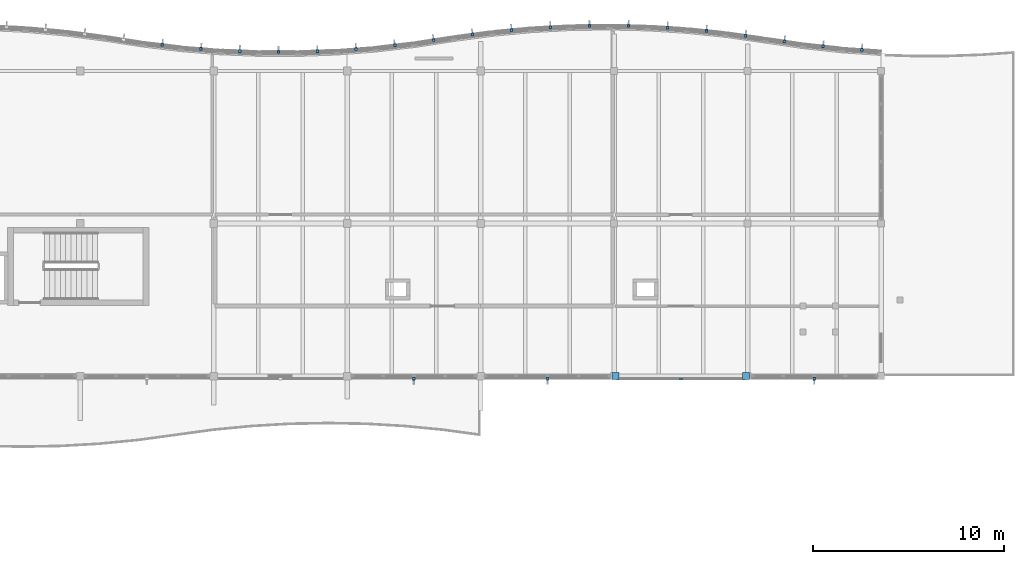
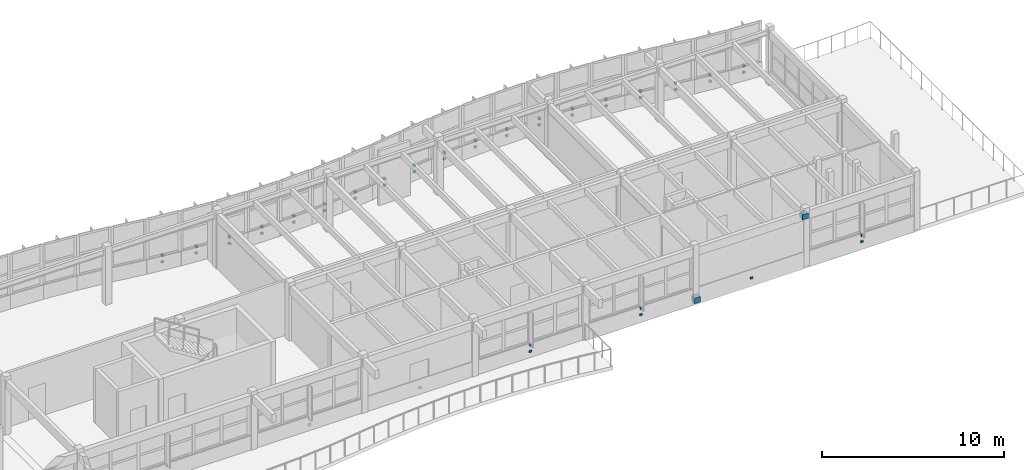
# One storey, part 52 of 63: 47 discrete accessories.
"""IFC4 building model written with IfcOpenShell, lengths in metres."""

from ifc_helpers import new_model, si_unit, direction, frame, origin, origin_2d, place, context, subcontext, project, spatial, rectangle, extrude, material, type_object, element, save


model = new_model("IFC4")

# Units and contexts
model_context = context("Model", 3, precision=1e-05, world=origin(), true_north=direction((0.0, 1.0)))
body_context = subcontext(model_context, "Body", "Model", "MODEL_VIEW")
ifc_project = project(units=[si_unit("LENGTHUNIT", "METRE"), si_unit("AREAUNIT", "SQUARE_METRE"), si_unit("VOLUMEUNIT", "CUBIC_METRE"), si_unit("PLANEANGLEUNIT", "RADIAN"), si_unit("MASSUNIT", "GRAM", prefix="KILO")], contexts=[model_context])

# Site, building, storey
site_placement = place(None, origin())
site = spatial("IfcSite", under=ifc_project, at=site_placement, CompositionType="ELEMENT")
building_placement = place(site_placement, origin())
building = spatial("IfcBuilding", under=site, at=building_placement, Name="Tonlespit Floodbar School", CompositionType="ELEMENT")
storey_placement = place(building_placement, frame((0.0, 0.0, 8.39990234375)))
storey = spatial("IfcBuildingStorey", under=building, at=storey_placement, Name="L02", CompositionType="ELEMENT", Elevation=8.39990234375)

# Discrete accessories
ifc_material_1 = material(Name="Galvanised Steel", Category="steel")
discrete_accessory_type_1 = type_object("IfcDiscreteAccessoryType", Name="Bracket_Facade_S355", PredefinedType="BRACKET", material=ifc_material_1)
discrete_accessory_1_placement = place(storey_placement, frame((131.303955078125, 121.3623046875, 0.35498046875), z_axis=(0.0, 0.0, 1.0), x_axis=(0.992837635444, -0.119471459546, 0.0)))
element("IfcDiscreteAccessory", 1, at=discrete_accessory_1_placement, inside=storey, type_object=discrete_accessory_type_1, Name="L02 white band support bracket 0671", PredefinedType="BRACKET", context=body_context, shape_type="SweptSolid", body=[
    extrude(rectangle(XDim=0.159912109375, YDim=0.1201171875, at=origin_2d()), origin(), (0.0, 0.0, 1.0), 0.1201171875),
])
discrete_accessory_2_placement = place(storey_placement, frame((131.30517578125, 121.3720703125, 0.7802734375), z_axis=(0.0, 0.0, 1.0), x_axis=(0.992837635444, -0.119471459546, 0.0)))
element("IfcDiscreteAccessory", 2, at=discrete_accessory_2_placement, inside=storey, type_object=discrete_accessory_type_1, Name="Solar fin support bracket 274", PredefinedType="BRACKET", context=body_context, shape_type="SweptSolid", body=[
    extrude(rectangle(XDim=0.1201171875, YDim=0.179931640625, at=origin_2d()), origin(), (0.0, 0.0, 1.0), 0.139892578125),
])
discrete_accessory_3_placement = place(storey_placement, frame((133.33740234375, 121.157958984375, 0.35498046875), z_axis=(0.0, 0.0, 1.0), x_axis=(0.996771595728, -0.08028938878, 0.0)))
element("IfcDiscreteAccessory", 3, at=discrete_accessory_3_placement, inside=storey, type_object=discrete_accessory_type_1, Name="L02 white band support bracket 0672", PredefinedType="BRACKET", context=body_context, shape_type="SweptSolid", body=[
    extrude(rectangle(XDim=0.159912109375, YDim=0.1201171875, at=origin_2d()), origin(), (0.0, 0.0, 1.0), 0.1201171875),
])
discrete_accessory_4_placement = place(storey_placement, frame((133.338134765625, 121.16796875, 0.7802734375), z_axis=(0.0, 0.0, 1.0), x_axis=(0.996771595728, -0.08028938878, 0.0)))
element("IfcDiscreteAccessory", 4, at=discrete_accessory_4_placement, inside=storey, type_object=discrete_accessory_type_1, Name="Solar fin support bracket 275", PredefinedType="BRACKET", context=body_context, shape_type="SweptSolid", body=[
    extrude(rectangle(XDim=0.1201171875, YDim=0.179931640625, at=origin_2d()), origin(), (0.0, 0.0, 1.0), 0.139892578125),
])
discrete_accessory_5_placement = place(storey_placement, frame((135.37060546875, 121.0341796875, 0.35498046875), z_axis=(0.0, 0.0, 1.0), x_axis=(0.999156056334, -0.041075236957, 0.0)))
element("IfcDiscreteAccessory", 5, at=discrete_accessory_5_placement, inside=storey, type_object=discrete_accessory_type_1, Name="L02 white band support bracket 0673", PredefinedType="BRACKET", context=body_context, shape_type="SweptSolid", body=[
    extrude(rectangle(XDim=0.159912109375, YDim=0.1201171875, at=origin_2d()), origin(), (0.0, 0.0, 1.0), 0.1201171875),
])
discrete_accessory_6_placement = place(storey_placement, frame((135.37109375, 121.044189453125, 0.7802734375), z_axis=(0.0, 0.0, 1.0), x_axis=(0.999156056334, -0.041075236957, 0.0)))
element("IfcDiscreteAccessory", 6, at=discrete_accessory_6_placement, inside=storey, type_object=discrete_accessory_type_1, Name="Solar fin support bracket 276", PredefinedType="BRACKET", context=body_context, shape_type="SweptSolid", body=[
    extrude(rectangle(XDim=0.1201171875, YDim=0.179931640625, at=origin_2d()), origin(), (0.0, 0.0, 1.0), 0.139892578125),
])
discrete_accessory_7_placement = place(storey_placement, frame((137.404052734375, 120.990478515625, 0.35498046875), z_axis=(0.0, 0.0, 1.0), x_axis=(0.999998352629, -0.001815141425, 0.0)))
element("IfcDiscreteAccessory", 7, at=discrete_accessory_7_placement, inside=storey, type_object=discrete_accessory_type_1, Name="L02 white band support bracket 0674", PredefinedType="BRACKET", context=body_context, shape_type="SweptSolid", body=[
    extrude(rectangle(XDim=0.159912109375, YDim=0.1201171875, at=origin_2d()), origin(), (0.0, 0.0, 1.0), 0.1201171875),
])
discrete_accessory_8_placement = place(storey_placement, frame((137.404052734375, 121.00048828125, 0.7802734375), z_axis=(0.0, 0.0, 1.0), x_axis=(0.999998352629, -0.001815141425, 0.0)))
element("IfcDiscreteAccessory", 8, at=discrete_accessory_8_placement, inside=storey, type_object=discrete_accessory_type_1, Name="Solar fin support bracket 277", PredefinedType="BRACKET", context=body_context, shape_type="SweptSolid", body=[
    extrude(rectangle(XDim=0.1201171875, YDim=0.179931640625, at=origin_2d()), origin(), (0.0, 0.0, 1.0), 0.139892578125),
])
discrete_accessory_9_placement = place(storey_placement, frame((139.4375, 121.02685546875, 0.35498046875), z_axis=(0.0, 0.0, 1.0), x_axis=(0.999302046635, 0.037355315444, 0.0)))
element("IfcDiscreteAccessory", 9, at=discrete_accessory_9_placement, inside=storey, type_object=discrete_accessory_type_1, Name="L02 white band support bracket 0675", PredefinedType="BRACKET", context=body_context, shape_type="SweptSolid", body=[
    extrude(rectangle(XDim=0.159912109375, YDim=0.1201171875, at=origin_2d()), origin(), (0.0, 0.0, 1.0), 0.1201171875),
])
discrete_accessory_10_placement = place(storey_placement, frame((139.43701171875, 121.036865234375, 0.7802734375), z_axis=(0.0, 0.0, 1.0), x_axis=(0.999302046635, 0.037355315444, 0.0)))
element("IfcDiscreteAccessory", 10, at=discrete_accessory_10_placement, inside=storey, type_object=discrete_accessory_type_1, Name="Solar fin support bracket 278", PredefinedType="BRACKET", context=body_context, shape_type="SweptSolid", body=[
    extrude(rectangle(XDim=0.1201171875, YDim=0.179931640625, at=origin_2d()), origin(), (0.0, 0.0, 1.0), 0.139892578125),
])
discrete_accessory_11_placement = place(storey_placement, frame((141.470703125, 121.142822265625, 0.35498046875), z_axis=(0.0, 0.0, 1.0), x_axis=(0.99706599344, 0.076546748634, 0.0)))
element("IfcDiscreteAccessory", 11, at=discrete_accessory_11_placement, inside=storey, type_object=discrete_accessory_type_1, Name="L02 white band support bracket 0676", PredefinedType="BRACKET", context=body_context, shape_type="SweptSolid", body=[
    extrude(rectangle(XDim=0.159912109375, YDim=0.1201171875, at=origin_2d()), origin(), (0.0, 0.0, 1.0), 0.1201171875),
])
discrete_accessory_12_placement = place(storey_placement, frame((141.469970703125, 121.15283203125, 0.7802734375), z_axis=(0.0, 0.0, 1.0), x_axis=(0.99706599344, 0.076546748634, 0.0)))
element("IfcDiscreteAccessory", 12, at=discrete_accessory_12_placement, inside=storey, type_object=discrete_accessory_type_1, Name="Solar fin support bracket 279", PredefinedType="BRACKET", context=body_context, shape_type="SweptSolid", body=[
    extrude(rectangle(XDim=0.1201171875, YDim=0.179931640625, at=origin_2d()), origin(), (0.0, 0.0, 1.0), 0.139892578125),
])
discrete_accessory_13_placement = place(storey_placement, frame((143.504150390625, 121.33935546875, 0.35498046875), z_axis=(0.0, 0.0, 1.0), x_axis=(0.993275723379, 0.115772783271, 0.0)))
element("IfcDiscreteAccessory", 13, at=discrete_accessory_13_placement, inside=storey, type_object=discrete_accessory_type_1, Name="L02 white band support bracket 0677", PredefinedType="BRACKET", context=body_context, shape_type="SweptSolid", body=[
    extrude(rectangle(XDim=0.159912109375, YDim=0.1201171875, at=origin_2d()), origin(), (0.0, 0.0, 1.0), 0.1201171875),
])
discrete_accessory_14_placement = place(storey_placement, frame((143.5029296875, 121.349365234375, 0.7802734375), z_axis=(0.0, 0.0, 1.0), x_axis=(0.993275723379, 0.115772783271, 0.0)))
element("IfcDiscreteAccessory", 14, at=discrete_accessory_14_placement, inside=storey, type_object=discrete_accessory_type_1, Name="Solar fin support bracket 280", PredefinedType="BRACKET", context=body_context, shape_type="SweptSolid", body=[
    extrude(rectangle(XDim=0.1201171875, YDim=0.179931640625, at=origin_2d()), origin(), (0.0, 0.0, 1.0), 0.139892578125),
])
discrete_accessory_15_placement = place(storey_placement, frame((145.5380859375, 121.6142578125, 0.35498046875), z_axis=(0.0, 0.0, 1.0), x_axis=(0.988400772292, 0.151868078712, 0.0)))
element("IfcDiscreteAccessory", 15, at=discrete_accessory_15_placement, inside=storey, type_object=discrete_accessory_type_1, Name="L02 white band support bracket 0678", PredefinedType="BRACKET", context=body_context, shape_type="SweptSolid", body=[
    extrude(rectangle(XDim=0.159912109375, YDim=0.1201171875, at=origin_2d()), origin(), (0.0, 0.0, 1.0), 0.1201171875),
])
discrete_accessory_16_placement = place(storey_placement, frame((145.536376953125, 121.6240234375, 0.7802734375), z_axis=(0.0, 0.0, 1.0), x_axis=(0.988400772292, 0.151868078712, 0.0)))
element("IfcDiscreteAccessory", 16, at=discrete_accessory_16_placement, inside=storey, type_object=discrete_accessory_type_1, Name="Solar fin support bracket 281", PredefinedType="BRACKET", context=body_context, shape_type="SweptSolid", body=[
    extrude(rectangle(XDim=0.1201171875, YDim=0.179931640625, at=origin_2d()), origin(), (0.0, 0.0, 1.0), 0.139892578125),
])
discrete_accessory_17_placement = place(storey_placement, frame((147.578857421875, 121.90771484375, 0.35498046875), z_axis=(0.0, 0.0, 1.0), x_axis=(0.991144996376, 0.132784020724, 0.0)))
element("IfcDiscreteAccessory", 17, at=discrete_accessory_17_placement, inside=storey, type_object=discrete_accessory_type_1, Name="L02 white band support bracket 0679", PredefinedType="BRACKET", context=body_context, shape_type="SweptSolid", body=[
    extrude(rectangle(XDim=0.159912109375, YDim=0.1201171875, at=origin_2d()), origin(), (0.0, 0.0, 1.0), 0.1201171875),
])
discrete_accessory_18_placement = place(storey_placement, frame((147.57763671875, 121.91748046875, 0.7802734375), z_axis=(0.0, 0.0, 1.0), x_axis=(0.991144996376, 0.132784020724, 0.0)))
element("IfcDiscreteAccessory", 18, at=discrete_accessory_18_placement, inside=storey, type_object=discrete_accessory_type_1, Name="Solar fin support bracket 282", PredefinedType="BRACKET", context=body_context, shape_type="SweptSolid", body=[
    extrude(rectangle(XDim=0.1201171875, YDim=0.179931640625, at=origin_2d()), origin(), (0.0, 0.0, 1.0), 0.139892578125),
])
discrete_accessory_19_placement = place(storey_placement, frame((149.622314453125, 122.140625, 0.35498046875), z_axis=(0.0, 0.0, 1.0), x_axis=(0.995611429803, 0.093583550078, 0.0)))
element("IfcDiscreteAccessory", 19, at=discrete_accessory_19_placement, inside=storey, type_object=discrete_accessory_type_1, Name="L02 white band support bracket 0680", PredefinedType="BRACKET", context=body_context, shape_type="SweptSolid", body=[
    extrude(rectangle(XDim=0.159912109375, YDim=0.1201171875, at=origin_2d()), origin(), (0.0, 0.0, 1.0), 0.1201171875),
])
discrete_accessory_20_placement = place(storey_placement, frame((149.62158203125, 122.150634765625, 0.7802734375), z_axis=(0.0, 0.0, 1.0), x_axis=(0.995611429803, 0.093583550078, 0.0)))
element("IfcDiscreteAccessory", 20, at=discrete_accessory_20_placement, inside=storey, type_object=discrete_accessory_type_1, Name="Solar fin support bracket 283", PredefinedType="BRACKET", context=body_context, shape_type="SweptSolid", body=[
    extrude(rectangle(XDim=0.1201171875, YDim=0.179931640625, at=origin_2d()), origin(), (0.0, 0.0, 1.0), 0.139892578125),
])
discrete_accessory_21_placement = place(storey_placement, frame((151.666015625, 122.292236328125, 0.35498046875), z_axis=(0.0, 0.0, 1.0), x_axis=(0.998520770666, 0.0543715969, 0.0)))
element("IfcDiscreteAccessory", 21, at=discrete_accessory_21_placement, inside=storey, type_object=discrete_accessory_type_1, Name="L02 white band support bracket 0681", PredefinedType="BRACKET", context=body_context, shape_type="SweptSolid", body=[
    extrude(rectangle(XDim=0.159912109375, YDim=0.1201171875, at=origin_2d()), origin(), (0.0, 0.0, 1.0), 0.1201171875),
])
discrete_accessory_22_placement = place(storey_placement, frame((151.665283203125, 122.30224609375, 0.7802734375), z_axis=(0.0, 0.0, 1.0), x_axis=(0.998520770666, 0.0543715969, 0.0)))
element("IfcDiscreteAccessory", 22, at=discrete_accessory_22_placement, inside=storey, type_object=discrete_accessory_type_1, Name="Solar fin support bracket 284", PredefinedType="BRACKET", context=body_context, shape_type="SweptSolid", body=[
    extrude(rectangle(XDim=0.1201171875, YDim=0.179931640625, at=origin_2d()), origin(), (0.0, 0.0, 1.0), 0.139892578125),
])
discrete_accessory_23_placement = place(storey_placement, frame((153.709716796875, 122.36328125, 0.35498046875), z_axis=(0.0, 0.0, 1.0), x_axis=(0.999885143374, 0.015155858947, 0.0)))
element("IfcDiscreteAccessory", 23, at=discrete_accessory_23_placement, inside=storey, type_object=discrete_accessory_type_1, Name="L02 white band support bracket 0682", PredefinedType="BRACKET", context=body_context, shape_type="SweptSolid", body=[
    extrude(rectangle(XDim=0.159912109375, YDim=0.1201171875, at=origin_2d()), origin(), (0.0, 0.0, 1.0), 0.1201171875),
])
discrete_accessory_24_placement = place(storey_placement, frame((153.70947265625, 122.373291015625, 0.7802734375), z_axis=(0.0, 0.0, 1.0), x_axis=(0.999885143374, 0.015155858947, 0.0)))
element("IfcDiscreteAccessory", 24, at=discrete_accessory_24_placement, inside=storey, type_object=discrete_accessory_type_1, Name="Solar fin support bracket 285", PredefinedType="BRACKET", context=body_context, shape_type="SweptSolid", body=[
    extrude(rectangle(XDim=0.1201171875, YDim=0.179931640625, at=origin_2d()), origin(), (0.0, 0.0, 1.0), 0.139892578125),
])
discrete_accessory_25_placement = place(storey_placement, frame((155.753173828125, 122.3544921875, 0.35498046875), z_axis=(0.0, 0.0, 1.0), x_axis=(0.999711216939, -0.024030870297, 0.0)))
element("IfcDiscreteAccessory", 25, at=discrete_accessory_25_placement, inside=storey, type_object=discrete_accessory_type_1, Name="L02 white band support bracket 0683", PredefinedType="BRACKET", context=body_context, shape_type="SweptSolid", body=[
    extrude(rectangle(XDim=0.159912109375, YDim=0.1201171875, at=origin_2d()), origin(), (0.0, 0.0, 1.0), 0.1201171875),
])
discrete_accessory_26_placement = place(storey_placement, frame((155.75341796875, 122.364501953125, 0.7802734375), z_axis=(0.0, 0.0, 1.0), x_axis=(0.999711216939, -0.024030870297, 0.0)))
element("IfcDiscreteAccessory", 26, at=discrete_accessory_26_placement, inside=storey, type_object=discrete_accessory_type_1, Name="Solar fin support bracket 286", PredefinedType="BRACKET", context=body_context, shape_type="SweptSolid", body=[
    extrude(rectangle(XDim=0.1201171875, YDim=0.179931640625, at=origin_2d()), origin(), (0.0, 0.0, 1.0), 0.139892578125),
])
discrete_accessory_27_placement = place(storey_placement, frame((157.796630859375, 122.264892578125, 0.35498046875), z_axis=(0.0, 0.0, 1.0), x_axis=(0.9979974699, -0.063253854221, 0.0)))
element("IfcDiscreteAccessory", 27, at=discrete_accessory_27_placement, inside=storey, type_object=discrete_accessory_type_1, Name="L02 white band support bracket 0684", PredefinedType="BRACKET", context=body_context, shape_type="SweptSolid", body=[
    extrude(rectangle(XDim=0.159912109375, YDim=0.1201171875, at=origin_2d()), origin(), (0.0, 0.0, 1.0), 0.1201171875),
])
discrete_accessory_28_placement = place(storey_placement, frame((157.79736328125, 122.27490234375, 0.7802734375), z_axis=(0.0, 0.0, 1.0), x_axis=(0.9979974699, -0.063253854221, 0.0)))
element("IfcDiscreteAccessory", 28, at=discrete_accessory_28_placement, inside=storey, type_object=discrete_accessory_type_1, Name="Solar fin support bracket 287", PredefinedType="BRACKET", context=body_context, shape_type="SweptSolid", body=[
    extrude(rectangle(XDim=0.1201171875, YDim=0.179931640625, at=origin_2d()), origin(), (0.0, 0.0, 1.0), 0.139892578125),
])
discrete_accessory_29_placement = place(storey_placement, frame((159.84033203125, 122.094970703125, 0.35498046875), z_axis=(0.0, 0.0, 1.0), x_axis=(0.994735597828, -0.102474828191, 0.0)))
element("IfcDiscreteAccessory", 29, at=discrete_accessory_29_placement, inside=storey, type_object=discrete_accessory_type_1, Name="L02 white band support bracket 0685", PredefinedType="BRACKET", context=body_context, shape_type="SweptSolid", body=[
    extrude(rectangle(XDim=0.159912109375, YDim=0.1201171875, at=origin_2d()), origin(), (0.0, 0.0, 1.0), 0.1201171875),
])
discrete_accessory_30_placement = place(storey_placement, frame((159.84130859375, 122.10498046875, 0.7802734375), z_axis=(0.0, 0.0, 1.0), x_axis=(0.994735597828, -0.102474828191, 0.0)))
element("IfcDiscreteAccessory", 30, at=discrete_accessory_30_placement, inside=storey, type_object=discrete_accessory_type_1, Name="Solar fin support bracket 288", PredefinedType="BRACKET", context=body_context, shape_type="SweptSolid", body=[
    extrude(rectangle(XDim=0.1201171875, YDim=0.179931640625, at=origin_2d()), origin(), (0.0, 0.0, 1.0), 0.139892578125),
])
discrete_accessory_31_placement = place(storey_placement, frame((161.8837890625, 121.843505859375, 0.35498046875), z_axis=(0.0, 0.0, 1.0), x_axis=(0.989915408665, -0.141659746177, 0.0)))
element("IfcDiscreteAccessory", 31, at=discrete_accessory_31_placement, inside=storey, type_object=discrete_accessory_type_1, Name="L02 white band support bracket 0686", PredefinedType="BRACKET", context=body_context, shape_type="SweptSolid", body=[
    extrude(rectangle(XDim=0.159912109375, YDim=0.1201171875, at=origin_2d()), origin(), (0.0, 0.0, 1.0), 0.1201171875),
])
discrete_accessory_32_placement = place(storey_placement, frame((161.88525390625, 121.853515625, 0.7802734375), z_axis=(0.0, 0.0, 1.0), x_axis=(0.989915408665, -0.141659746177, 0.0)))
element("IfcDiscreteAccessory", 32, at=discrete_accessory_32_placement, inside=storey, type_object=discrete_accessory_type_1, Name="Solar fin support bracket 289", PredefinedType="BRACKET", context=body_context, shape_type="SweptSolid", body=[
    extrude(rectangle(XDim=0.1201171875, YDim=0.179931640625, at=origin_2d()), origin(), (0.0, 0.0, 1.0), 0.139892578125),
])
discrete_accessory_33_placement = place(storey_placement, frame((163.9228515625, 121.547119140625, 0.35498046875), z_axis=(0.0, 0.0, 1.0), x_axis=(0.989287625318, -0.145979431405, 0.0)))
element("IfcDiscreteAccessory", 33, at=discrete_accessory_33_placement, inside=storey, type_object=discrete_accessory_type_1, Name="L02 white band support bracket 0687", PredefinedType="BRACKET", context=body_context, shape_type="SweptSolid", body=[
    extrude(rectangle(XDim=0.159912109375, YDim=0.1201171875, at=origin_2d()), origin(), (0.0, 0.0, 1.0), 0.1201171875),
])
discrete_accessory_34_placement = place(storey_placement, frame((163.92431640625, 121.55712890625, 0.7802734375), z_axis=(0.0, 0.0, 1.0), x_axis=(0.989287625318, -0.145979431405, 0.0)))
element("IfcDiscreteAccessory", 34, at=discrete_accessory_34_placement, inside=storey, type_object=discrete_accessory_type_1, Name="Solar fin support bracket 290", PredefinedType="BRACKET", context=body_context, shape_type="SweptSolid", body=[
    extrude(rectangle(XDim=0.1201171875, YDim=0.179931640625, at=origin_2d()), origin(), (0.0, 0.0, 1.0), 0.139892578125),
])
discrete_accessory_35_placement = place(storey_placement, frame((165.956298828125, 121.287841796875, 0.35498046875), z_axis=(0.0, 0.0, 1.0), x_axis=(0.994267808285, -0.106918311842, 0.0)))
element("IfcDiscreteAccessory", 35, at=discrete_accessory_35_placement, inside=storey, type_object=discrete_accessory_type_1, Name="L02 white band support bracket 0688", PredefinedType="BRACKET", context=body_context, shape_type="SweptSolid", body=[
    extrude(rectangle(XDim=0.159912109375, YDim=0.1201171875, at=origin_2d()), origin(), (0.0, 0.0, 1.0), 0.1201171875),
])
discrete_accessory_36_placement = place(storey_placement, frame((165.957275390625, 121.2978515625, 0.7802734375), z_axis=(0.0, 0.0, 1.0), x_axis=(0.994267808285, -0.106918311842, 0.0)))
element("IfcDiscreteAccessory", 36, at=discrete_accessory_36_placement, inside=storey, type_object=discrete_accessory_type_1, Name="Solar fin support bracket 291", PredefinedType="BRACKET", context=body_context, shape_type="SweptSolid", body=[
    extrude(rectangle(XDim=0.1201171875, YDim=0.179931640625, at=origin_2d()), origin(), (0.0, 0.0, 1.0), 0.139892578125),
])
discrete_accessory_37_placement = place(storey_placement, frame((167.989501953125, 121.109619140625, 0.35498046875), z_axis=(0.0, 0.0, 1.0), x_axis=(0.997706542434, -0.067687924949, 0.0)))
element("IfcDiscreteAccessory", 37, at=discrete_accessory_37_placement, inside=storey, type_object=discrete_accessory_type_1, Name="L02 white band support bracket 0689", PredefinedType="BRACKET", context=body_context, shape_type="SweptSolid", body=[
    extrude(rectangle(XDim=0.159912109375, YDim=0.1201171875, at=origin_2d()), origin(), (0.0, 0.0, 1.0), 0.1201171875),
])
discrete_accessory_38_placement = place(storey_placement, frame((167.990234375, 121.119384765625, 0.7802734375), z_axis=(0.0, 0.0, 1.0), x_axis=(0.997706542434, -0.067687924949, 0.0)))
element("IfcDiscreteAccessory", 38, at=discrete_accessory_38_placement, inside=storey, type_object=discrete_accessory_type_1, Name="Solar fin support bracket 292", PredefinedType="BRACKET", context=body_context, shape_type="SweptSolid", body=[
    extrude(rectangle(XDim=0.1201171875, YDim=0.179931640625, at=origin_2d()), origin(), (0.0, 0.0, 1.0), 0.139892578125),
])
discrete_accessory_39_placement = place(storey_placement, frame((165.5, 103.8701171875, 0.35498046875), z_axis=(0.0, 0.0, 1.0), x_axis=(-1.0, 0.0, 0.0)))
element("IfcDiscreteAccessory", 39, at=discrete_accessory_39_placement, inside=storey, type_object=discrete_accessory_type_1, Name="L02 white band support bracket 0690", PredefinedType="BRACKET", context=body_context, shape_type="SweptSolid", body=[
    extrude(rectangle(XDim=0.159912109375, YDim=0.1201171875, at=origin_2d()), origin(), (0.0, 0.0, 1.0), 0.1201171875),
])
discrete_accessory_40_placement = place(storey_placement, frame((165.5, 103.860107421875, 0.7802734375), z_axis=(0.0, 0.0, 1.0), x_axis=(-1.0, 0.0, 0.0)))
element("IfcDiscreteAccessory", 40, at=discrete_accessory_40_placement, inside=storey, type_object=discrete_accessory_type_1, Name="Solar fin support bracket 293", PredefinedType="BRACKET", context=body_context, shape_type="SweptSolid", body=[
    extrude(rectangle(XDim=0.1201171875, YDim=0.179931640625, at=origin_2d()), origin(), (0.0, 0.0, 1.0), 0.139892578125),
])
for number, where, z_axis, x_axis, name in (
    (41, (158.5, 103.85009765625, 0.380126953125), (0.0, 0.0, 1.0), (-1.0, 0.0, 0.0), "L02 white band support bracket 0691"),
    (42, (151.510009765625, 103.8701171875, 0.35498046875), (0.0, 0.0, 1.0), (-1.0, 0.0, 0.0), "L02 white band support bracket 0692"),
):
    element("IfcDiscreteAccessory", number, at=place(storey_placement, frame(where, z_axis=z_axis, x_axis=x_axis)), inside=storey, type_object=discrete_accessory_type_1, Name=name, PredefinedType="BRACKET", context=body_context, shape_type="SweptSolid", body=[
        extrude(rectangle(XDim=0.159912109375, YDim=0.1201171875, at=origin_2d()), origin(), (0.0, 0.0, 1.0), 0.1201171875),
    ])
discrete_accessory_41_placement = place(storey_placement, frame((151.510009765625, 103.860107421875, 0.7802734375), z_axis=(0.0, 0.0, 1.0), x_axis=(-1.0, 0.0, 0.0)))
element("IfcDiscreteAccessory", 43, at=discrete_accessory_41_placement, inside=storey, type_object=discrete_accessory_type_1, Name="Solar fin support bracket 294", PredefinedType="BRACKET", context=body_context, shape_type="SweptSolid", body=[
    extrude(rectangle(XDim=0.1201171875, YDim=0.179931640625, at=origin_2d()), origin(), (0.0, 0.0, 1.0), 0.139892578125),
])
discrete_accessory_42_placement = place(storey_placement, frame((144.5, 103.8701171875, 0.35498046875), z_axis=(0.0, 0.0, 1.0), x_axis=(-1.0, 0.0, 0.0)))
element("IfcDiscreteAccessory", 44, at=discrete_accessory_42_placement, inside=storey, type_object=discrete_accessory_type_1, Name="L02 white band support bracket 0693", PredefinedType="BRACKET", context=body_context, shape_type="SweptSolid", body=[
    extrude(rectangle(XDim=0.159912109375, YDim=0.1201171875, at=origin_2d()), origin(), (0.0, 0.0, 1.0), 0.1201171875),
])
discrete_accessory_43_placement = place(storey_placement, frame((144.5, 103.860107421875, 0.7802734375), z_axis=(0.0, 0.0, 1.0), x_axis=(-1.0, 0.0, 0.0)))
element("IfcDiscreteAccessory", 45, at=discrete_accessory_43_placement, inside=storey, type_object=discrete_accessory_type_1, Name="Solar fin support bracket 295", PredefinedType="BRACKET", context=body_context, shape_type="SweptSolid", body=[
    extrude(rectangle(XDim=0.1201171875, YDim=0.179931640625, at=origin_2d()), origin(), (0.0, 0.0, 1.0), 0.139892578125),
])
ifc_material_2 = material(Name="Steel S355", Category="steel")
discrete_accessory_type_2 = type_object("IfcDiscreteAccessoryType", Name="GussetShoe_Brace_S355", PredefinedType="SHOE", material=ifc_material_2)
for number, where, z_axis, x_axis, name in (
    (46, (155.080078125, 104.0, -0.02978515625), (0.0, 0.0, 1.0), (1.0, 0.0, 0.0), "L02 brace and chord end gusset shoe 0043"),
    (47, (161.919921875, 104.0, 3.169921875), (0.0, 0.0, 1.0), (1.0, 0.0, 0.0), "L02 brace and chord end gusset shoe 0044"),
):
    element("IfcDiscreteAccessory", number, at=place(storey_placement, frame(where, z_axis=z_axis, x_axis=x_axis)), inside=storey, type_object=discrete_accessory_type_2, Name=name, PredefinedType="SHOE", context=body_context, shape_type="SweptSolid", body=[
        extrude(rectangle(XDim=0.360107421875, YDim=0.360107421875, at=origin_2d()), origin(), (0.0, 0.0, 1.0), 0.360107421875),
    ])

save(model, "model.ifc")
